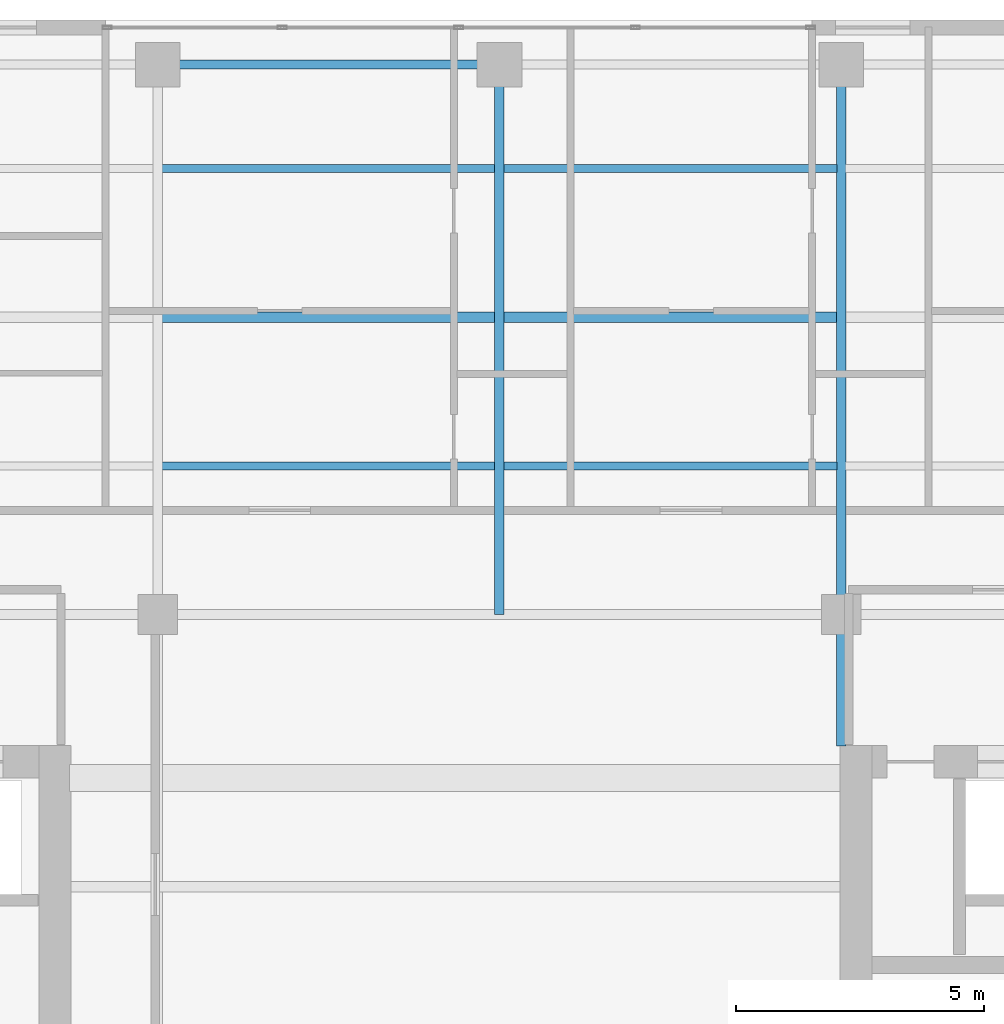
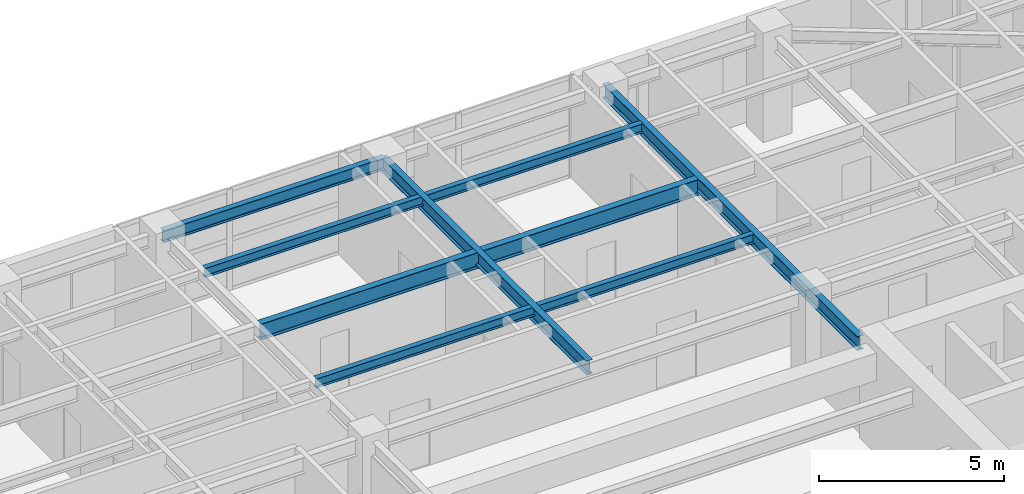
# One storey, part 16 of 24: 6 beams.
"""IFC4 building model written with IfcOpenShell, lengths in metres."""

from ifc_helpers import new_model, si_unit, direction, frame, origin, origin_2d, place, context, subcontext, project, spatial, i_section, extrude, source, transform, mapped, material, material_profile, profile_set, type_object, element, save


model = new_model("IFC4")

# Units and contexts
model_context = context("Model", 3, precision=1e-05, world=origin(), true_north=direction((0.0, 1.0)))
body_context = subcontext(model_context, "Body", "Model", "MODEL_VIEW")
ifc_project = project(units=[si_unit("LENGTHUNIT", "METRE"), si_unit("AREAUNIT", "SQUARE_METRE"), si_unit("VOLUMEUNIT", "CUBIC_METRE"), si_unit("PLANEANGLEUNIT", "RADIAN"), si_unit("MASSUNIT", "GRAM", prefix="KILO")], contexts=[model_context])

# Site, building, storey
site_placement = place(None, origin())
site = spatial("IfcSite", under=ifc_project, at=site_placement, CompositionType="ELEMENT")
building_placement = place(site_placement, origin())
building = spatial("IfcBuilding", under=site, at=building_placement, Name="Khoralis Quay Care Tower", CompositionType="ELEMENT")
storey_placement = place(building_placement, frame((0.0, 0.0, 155.699951171875)))
storey = spatial("IfcBuildingStorey", under=building, at=storey_placement, Name="L40", CompositionType="ELEMENT", Elevation=155.699951171875)

# Beams
ifc_material = material(Name="Steel S355", Category="steel")
ifc_material_profile_1 = material_profile(ifc_material, i_section(OverallWidth=0.179931640625, OverallDepth=0.39990234375, WebThickness=0.008544921875, FlangeThickness=0.013427734375, FilletRadius=0.02099609375, at=origin_2d()), Name="Steel S355")
ifc_profile_set_1 = profile_set([ifc_material_profile_1], Name="Steel S355")
beam_type_1 = type_object("IfcBeamType", Name="BM-IPE400", PredefinedType="SPANDREL", material=ifc_profile_set_1)
shared_shape_1 = source(origin(), body_context, "Body", "SweptSolid", [
    extrude(i_section(OverallWidth=0.179931640625, OverallDepth=0.39990234375, WebThickness=0.008544921875, FlangeThickness=0.013427734375, FilletRadius=0.02099609375, at=origin_2d()), origin(), (0.0, 0.0, 1.0), 6.89990234375),
])
beam_1_placement = place(storey_placement, frame((17.10009765625, 41.10009765625, 3.14013671875), z_axis=(1.0, 0.0, 0.0), x_axis=(0.0, 1.0, 0.0)))
element("IfcBeam", 1, at=beam_1_placement, inside=storey, type_object=beam_type_1, Name="BM-TSP-L40-06", PredefinedType="SPANDREL", context=body_context, shape_type="MappedRepresentation", body=[
    mapped(shared_shape_1, transform((0.0, 0.0, 0.0), scale=1.0)),
])
ifc_material_profile_2 = material_profile(ifc_material, i_section(OverallWidth=0.208984375, OverallDepth=0.532958984375, WebThickness=0.01025390625, FlangeThickness=0.015625, FilletRadius=0.01611328125, at=origin_2d()), Name="Steel S355")
ifc_profile_set_2 = profile_set([ifc_material_profile_2], Name="Steel S355")
beam_type_2 = type_object("IfcBeamType", Name="BM-W530X92", PredefinedType="BEAM", material=ifc_profile_set_2)
shared_shape_2 = source(origin(), body_context, "Body", "SweptSolid", [
    extrude(i_section(OverallWidth=0.208984375, OverallDepth=0.532958984375, WebThickness=0.01025390625, FlangeThickness=0.015625, FilletRadius=0.01611328125, at=origin_2d()), origin(), (0.0, 0.0, 1.0), 13.6318359375),
])
beam_2_placement = place(storey_placement, frame((17.18408203125, 36.0, 3.073486328125), z_axis=(1.0, 0.0, 0.0), x_axis=(0.0, 1.0, 0.0)))
element("IfcBeam", 2, at=beam_2_placement, inside=storey, type_object=beam_type_2, Name="BM-TGCC-L40-360", PredefinedType="BEAM", context=body_context, shape_type="MappedRepresentation", body=[
    mapped(shared_shape_2, transform((0.0, 0.0, 0.0), scale=1.0)),
])
ifc_material_profile_3 = material_profile(ifc_material, i_section(OverallWidth=0.19189453125, OverallDepth=0.462890625, WebThickness=0.010498046875, FlangeThickness=0.017578125, FilletRadius=0.014892578125, at=origin_2d()), Name="Steel S355")
ifc_profile_set_3 = profile_set([ifc_material_profile_3], Name="Steel S355")
beam_type_3 = type_object("IfcBeamType", Name="BM-W460X89", PredefinedType="BEAM", material=ifc_profile_set_3)
shared_shape_3 = source(origin(), body_context, "Body", "SweptSolid", [
    extrude(i_section(OverallWidth=0.19189453125, OverallDepth=0.462890625, WebThickness=0.010498046875, FlangeThickness=0.017578125, FilletRadius=0.014892578125, at=origin_2d()), origin(), (0.0, 0.0, 1.0), 11.10009765625),
])
beam_3_placement = place(storey_placement, frame((24.0, 30.0, 3.108642578125), z_axis=(0.0, 1.0, 0.0), x_axis=(-1.0, 0.0, 0.0)))
element("IfcBeam", 3, at=beam_3_placement, inside=storey, type_object=beam_type_3, Name="BM-TGYN-L40-240", PredefinedType="BEAM", context=body_context, shape_type="MappedRepresentation", body=[
    mapped(shared_shape_3, transform((0.0, 0.0, 0.0), scale=1.0)),
])
shared_shape_4 = source(origin(), body_context, "Body", "SweptSolid", [
    extrude(i_section(OverallWidth=0.19189453125, OverallDepth=0.462890625, WebThickness=0.010498046875, FlangeThickness=0.017578125, FilletRadius=0.014892578125, at=origin_2d()), origin(), (0.0, 0.0, 1.0), 13.752197265625),
])
beam_4_placement = place(storey_placement, frame((30.89990234375, 27.347900390625, 3.108642578125), z_axis=(0.0, 1.0, 0.0), x_axis=(-1.0, 0.0, 0.0)))
element("IfcBeam", 4, at=beam_4_placement, inside=storey, type_object=beam_type_3, Name="BM-TGYN-L40-309", PredefinedType="BEAM", context=body_context, shape_type="MappedRepresentation", body=[
    mapped(shared_shape_4, transform((0.0, 0.0, 0.0), scale=1.0)),
])
ifc_material_profile_4 = material_profile(ifc_material, i_section(OverallWidth=0.1650390625, OverallDepth=0.31005859375, WebThickness=0.005859375, FlangeThickness=0.009765625, FilletRadius=0.011962890625, at=origin_2d()), Name="Steel S355")
ifc_profile_set_4 = profile_set([ifc_material_profile_4], Name="Steel S355")
beam_type_4 = type_object("IfcBeamType", Name="BM-W310X39", PredefinedType="JOIST", material=ifc_profile_set_4)
shared_shape_5 = source(origin(), body_context, "Body", "SweptSolid", [
    extrude(i_section(OverallWidth=0.1650390625, OverallDepth=0.31005859375, WebThickness=0.005859375, FlangeThickness=0.009765625, FilletRadius=0.011962890625, at=origin_2d()), origin(), (0.0, 0.0, 1.0), 13.6318359375),
])
for number, where, z_axis, x_axis, name in (
    (5, (17.18408203125, 33.0, 3.18505859375), (1.0, 0.0, 0.0), (0.0, 1.0, 0.0), "BM-TJS-L40-28"),
    (6, (17.18408203125, 39.0, 3.18505859375), (1.0, 0.0, 0.0), (0.0, 1.0, 0.0), "BM-TJS-L40-31"),
):
    element("IfcBeam", number, at=place(storey_placement, frame(where, z_axis=z_axis, x_axis=x_axis)), inside=storey, type_object=beam_type_4, Name=name, PredefinedType="JOIST", context=body_context, shape_type="MappedRepresentation", body=[
        mapped(shared_shape_5, transform((0.0, 0.0, 0.0), scale=1.0)),
    ])

save(model, "model.ifc")
